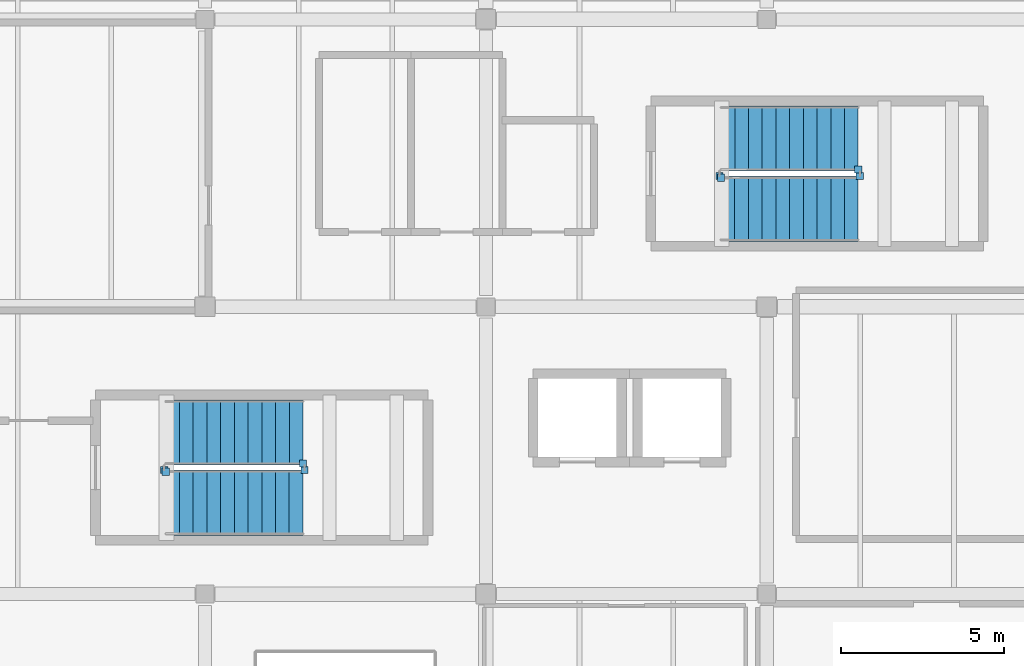
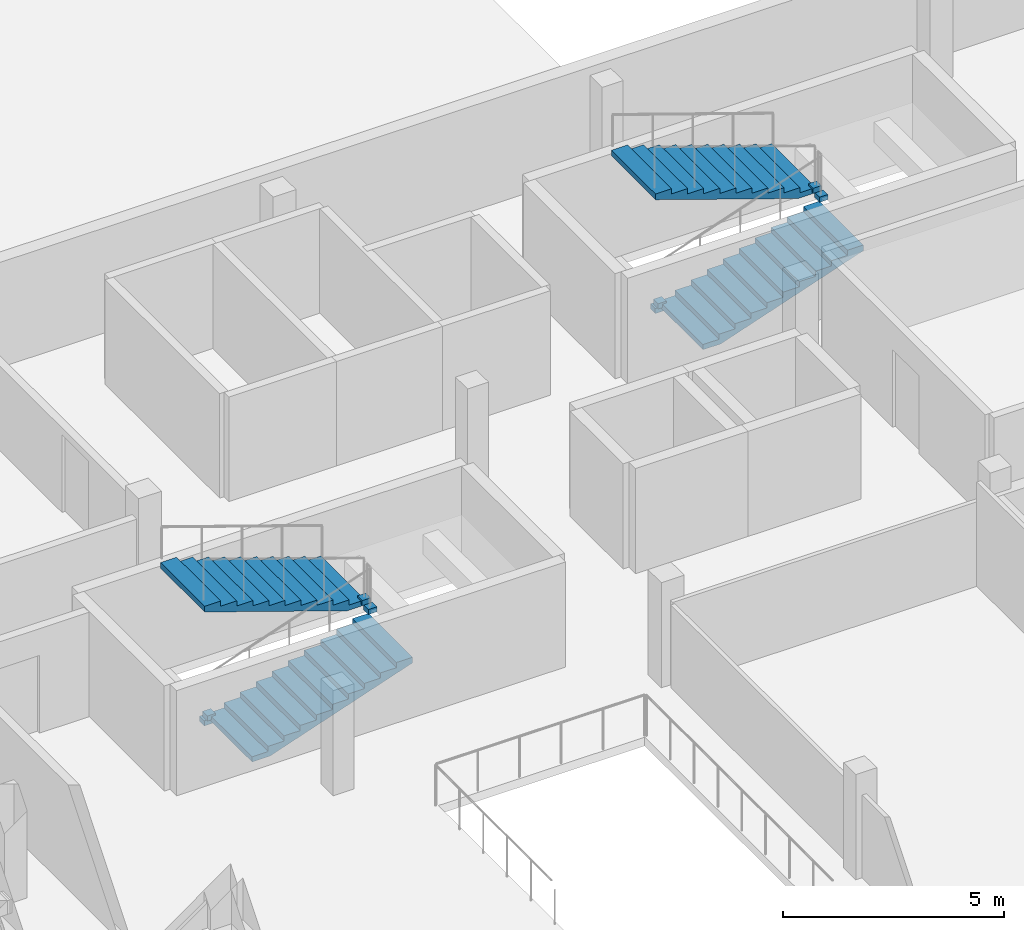
# One storey, part 14 of 17: 8 discrete accessories, 4 stair flights, 2 elements without a shape of their own.
"""IFC4 building model written with IfcOpenShell, lengths in metres."""

from ifc_helpers import new_model, si_unit, direction, frame, origin, origin_2d, place, context, subcontext, project, spatial, polyline, rectangle, outline, extrude, material, type_object, element, aggregate, save


model = new_model("IFC4")

# Units and contexts
model_context = context("Model", 3, precision=1e-05, world=origin(), true_north=direction((0.0, 1.0)))
body_context = subcontext(model_context, "Body", "Model", "MODEL_VIEW")
ifc_project = project(units=[si_unit("LENGTHUNIT", "METRE"), si_unit("AREAUNIT", "SQUARE_METRE"), si_unit("VOLUMEUNIT", "CUBIC_METRE"), si_unit("PLANEANGLEUNIT", "RADIAN"), si_unit("MASSUNIT", "GRAM", prefix="KILO")], contexts=[model_context])

# Site, building, storey
site_placement = place(None, origin())
site = spatial("IfcSite", under=ifc_project, at=site_placement, CompositionType="ELEMENT")
building_placement = place(site_placement, origin())
building = spatial("IfcBuilding", under=site, at=building_placement, Name="Varnakota Cinema and Media Centre", CompositionType="ELEMENT")
storey_placement = place(building_placement, frame((0.0, 0.0, 22.35009765625)))
storey = spatial("IfcBuildingStorey", under=building, at=storey_placement, Name="L06", CompositionType="ELEMENT", Elevation=22.35009765625)

# Stair, stair flights
ifc_material_1 = material(Name="Concrete M35", Category="concrete")
stair_type_1 = type_object("IfcStairType", Name="STR-CORE-ST-01-2000", PredefinedType="HALF_TURN_STAIR", material=ifc_material_1)
stair_1_placement = place(storey_placement, origin())
stair_1 = element("IfcStair", 1, at=stair_1_placement, inside=storey, type_object=stair_type_1, Name="L06 West Firefighting Stair 1", PredefinedType="HALF_TURN_STAIR")
ifc_material_2 = material(Name="Concrete M35", Category="concrete")
stair_flight_type_1 = type_object("IfcStairFlightType", Name="STF-CORE-ST-01-2000", PredefinedType="STRAIGHT", material=ifc_material_2)
stair_flight_1_placement = place(storey_placement, frame((7.39990234375, 20.39990234375, 0.0), z_axis=(0.0, 0.0, 1.0), x_axis=(1.0, 0.0, 0.0)))
stair_flight_1 = element("IfcStairFlight", 2, at=stair_flight_1_placement, type_object=stair_flight_type_1, Name="ST-01 flight 1", NumberOfRisers=11, NumberOfTreads=10, PredefinedType="STRAIGHT", RiserHeight=0.143181818, TreadLength=0.42, context=body_context, shape_type="SweptSolid", body=[
    extrude(outline(polyline([(0.0, 0.0), (0.0, 0.14306640625), (0.419921875, 0.14306640625), (0.419921875, 0.286376953125), (0.840087890625, 0.286376953125), (0.840087890625, 0.429443359375), (1.260009765625, 0.429443359375), (1.260009765625, 0.57275390625), (1.679931640625, 0.57275390625), (1.679931640625, 0.7158203125), (2.10009765625, 0.7158203125), (2.10009765625, 0.859130859375), (2.52001953125, 0.859130859375), (2.52001953125, 1.002197265625), (2.93994140625, 1.002197265625), (2.93994140625, 1.1455078125), (3.360107421875, 1.1455078125), (3.360107421875, 1.28857421875), (3.780029296875, 1.28857421875), (3.780029296875, 1.431884765625), (4.199951171875, 1.431884765625), (4.199951171875, 1.574951171875), (4.199951171875, 1.2734375), (0.464599609375, 0.0), (0.0, 0.0)])), frame((0.0, 1.0, 0.0), z_axis=(0.0, -1.0, 0.0), x_axis=(1.0, 0.0, 0.0)), (0.0, 0.0, 1.0), 2.0),
])
stair_flight_2_placement = place(storey_placement, frame((11.60009765625, 22.550048828125, 1.574951171875), z_axis=(0.0, 0.0, 1.0), x_axis=(-1.0, 0.0, 0.0)))
stair_flight_2 = element("IfcStairFlight", 3, at=stair_flight_2_placement, type_object=stair_flight_type_1, Name="ST-01 flight 2", NumberOfRisers=11, NumberOfTreads=10, PredefinedType="STRAIGHT", RiserHeight=0.143181818, TreadLength=0.42, context=body_context, shape_type="SweptSolid", body=[
    extrude(outline(polyline([(0.0, 0.0), (0.0, 0.14306640625), (0.419921875, 0.14306640625), (0.419921875, 0.286376953125), (0.840087890625, 0.286376953125), (0.840087890625, 0.429443359375), (1.260009765625, 0.429443359375), (1.260009765625, 0.57275390625), (1.679931640625, 0.57275390625), (1.679931640625, 0.7158203125), (2.10009765625, 0.7158203125), (2.10009765625, 0.859130859375), (2.52001953125, 0.859130859375), (2.52001953125, 1.002197265625), (2.93994140625, 1.002197265625), (2.93994140625, 1.1455078125), (3.360107421875, 1.1455078125), (3.360107421875, 1.28857421875), (3.780029296875, 1.28857421875), (3.780029296875, 1.431884765625), (4.199951171875, 1.431884765625), (4.199951171875, 1.574951171875), (4.199951171875, 1.2734375), (0.464599609375, 0.0), (0.0, 0.0)])), frame((0.0, 1.0, 0.0), z_axis=(0.0, -1.0, 0.0), x_axis=(1.0, 0.0, 0.0)), (0.0, 0.0, 1.0), 2.0),
])
aggregate(stair_1, [stair_flight_1, stair_flight_2])

ifc_material_3 = material(Name="Concrete M35", Category="concrete")
stair_type_2 = type_object("IfcStairType", Name="STR-CORE-ST-02-2000", PredefinedType="HALF_TURN_STAIR", material=ifc_material_3)
stair_2_placement = place(storey_placement, origin())
stair_2 = element("IfcStair", 4, at=stair_2_placement, inside=storey, type_object=stair_type_2, Name="L06 Cinema North Escape Stair 2", PredefinedType="HALF_TURN_STAIR")
ifc_material_4 = material(Name="Concrete M35", Category="concrete")
stair_flight_type_2 = type_object("IfcStairFlightType", Name="STF-CORE-ST-02-2000", PredefinedType="STRAIGHT", material=ifc_material_4)
stair_flight_3_placement = place(storey_placement, frame((24.39990234375, 29.39990234375, 0.0), z_axis=(0.0, 0.0, 1.0), x_axis=(1.0, 0.0, 0.0)))
stair_flight_3 = element("IfcStairFlight", 5, at=stair_flight_3_placement, type_object=stair_flight_type_2, Name="ST-02 flight 1", NumberOfRisers=11, NumberOfTreads=10, PredefinedType="STRAIGHT", RiserHeight=0.143181818, TreadLength=0.42, context=body_context, shape_type="SweptSolid", body=[
    extrude(outline(polyline([(0.0, 0.0), (0.0, 0.14306640625), (0.419921875, 0.14306640625), (0.419921875, 0.286376953125), (0.840087890625, 0.286376953125), (0.840087890625, 0.429443359375), (1.260009765625, 0.429443359375), (1.260009765625, 0.57275390625), (1.679931640625, 0.57275390625), (1.679931640625, 0.7158203125), (2.10009765625, 0.7158203125), (2.10009765625, 0.859130859375), (2.52001953125, 0.859130859375), (2.52001953125, 1.002197265625), (2.93994140625, 1.002197265625), (2.93994140625, 1.1455078125), (3.360107421875, 1.1455078125), (3.360107421875, 1.28857421875), (3.780029296875, 1.28857421875), (3.780029296875, 1.431884765625), (4.199951171875, 1.431884765625), (4.199951171875, 1.574951171875), (4.199951171875, 1.2734375), (0.464599609375, 0.0), (0.0, 0.0)])), frame((0.0, 1.0, 0.0), z_axis=(0.0, -1.0, 0.0), x_axis=(1.0, 0.0, 0.0)), (0.0, 0.0, 1.0), 2.0),
])
stair_flight_4_placement = place(storey_placement, frame((28.60009765625, 31.550048828125, 1.574951171875), z_axis=(0.0, 0.0, 1.0), x_axis=(-1.0, 0.0, 0.0)))
stair_flight_4 = element("IfcStairFlight", 6, at=stair_flight_4_placement, type_object=stair_flight_type_2, Name="ST-02 flight 2", NumberOfRisers=11, NumberOfTreads=10, PredefinedType="STRAIGHT", RiserHeight=0.143181818, TreadLength=0.42, context=body_context, shape_type="SweptSolid", body=[
    extrude(outline(polyline([(0.0, 0.0), (0.0, 0.14306640625), (0.419921875, 0.14306640625), (0.419921875, 0.286376953125), (0.840087890625, 0.286376953125), (0.840087890625, 0.429443359375), (1.260009765625, 0.429443359375), (1.260009765625, 0.57275390625), (1.679931640625, 0.57275390625), (1.679931640625, 0.7158203125), (2.10009765625, 0.7158203125), (2.10009765625, 0.859130859375), (2.52001953125, 0.859130859375), (2.52001953125, 1.002197265625), (2.93994140625, 1.002197265625), (2.93994140625, 1.1455078125), (3.360107421875, 1.1455078125), (3.360107421875, 1.28857421875), (3.780029296875, 1.28857421875), (3.780029296875, 1.431884765625), (4.199951171875, 1.431884765625), (4.199951171875, 1.574951171875), (4.199951171875, 1.2734375), (0.464599609375, 0.0), (0.0, 0.0)])), frame((0.0, 1.0, 0.0), z_axis=(0.0, -1.0, 0.0), x_axis=(1.0, 0.0, 0.0)), (0.0, 0.0, 1.0), 2.0),
])
aggregate(stair_2, [stair_flight_3, stair_flight_4])

# Discrete accessories
ifc_material_5 = material(Name="Structural steel Grade 350 (E350)", Category="steel")
discrete_accessory_type = type_object("IfcDiscreteAccessoryType", Name="ACC-BRACKET-SG", PredefinedType="BRACKET", material=ifc_material_5)
for number, where, z_axis, x_axis, name in (
    (7, (7.39990234375, 21.35009765625, 0.05322265625), (0.0, 0.0, 1.0), (1.0, 0.0, 0.0), "L06 stair guard base bracket ST-01-L06-G1"),
    (8, (11.64990234375, 21.39990234375, 1.48486328125), (0.0, 0.0, 1.0), (1.0, 0.0, 0.0), "L06 stair guard base bracket ST-01-L06-G2"),
    (9, (11.60009765625, 21.60009765625, 1.6279296875), (0.0, 0.0, 1.0), (1.0, 0.0, 0.0), "L06 stair guard base bracket ST-01-L06-G3"),
    (10, (7.35009765625, 21.39990234375, -0.08984375), (0.0, 0.0, 1.0), (1.0, 0.0, 0.0), "L06 stair guard base bracket ST-01-L06-G4"),
    (11, (24.39990234375, 30.35009765625, 0.05322265625), (0.0, 0.0, 1.0), (1.0, 0.0, 0.0), "L06 stair guard base bracket ST-02-L06-G1"),
    (12, (28.64990234375, 30.39990234375, 1.48486328125), (0.0, 0.0, 1.0), (1.0, 0.0, 0.0), "L06 stair guard base bracket ST-02-L06-G2"),
    (13, (28.60009765625, 30.60009765625, 1.6279296875), (0.0, 0.0, 1.0), (1.0, 0.0, 0.0), "L06 stair guard base bracket ST-02-L06-G3"),
    (14, (24.35009765625, 30.39990234375, -0.08984375), (0.0, 0.0, 1.0), (1.0, 0.0, 0.0), "L06 stair guard base bracket ST-02-L06-G4"),
):
    element("IfcDiscreteAccessory", number, at=place(storey_placement, frame(where, z_axis=z_axis, x_axis=x_axis)), inside=storey, type_object=discrete_accessory_type, Name=name, PredefinedType="BRACKET", context=body_context, shape_type="SweptSolid", body=[
        extrude(rectangle(XDim=0.219970703125, YDim=0.219970703125, at=origin_2d()), origin(), (0.0, 0.0, 1.0), 0.139892578125),
    ])

save(model, "model.ifc")
